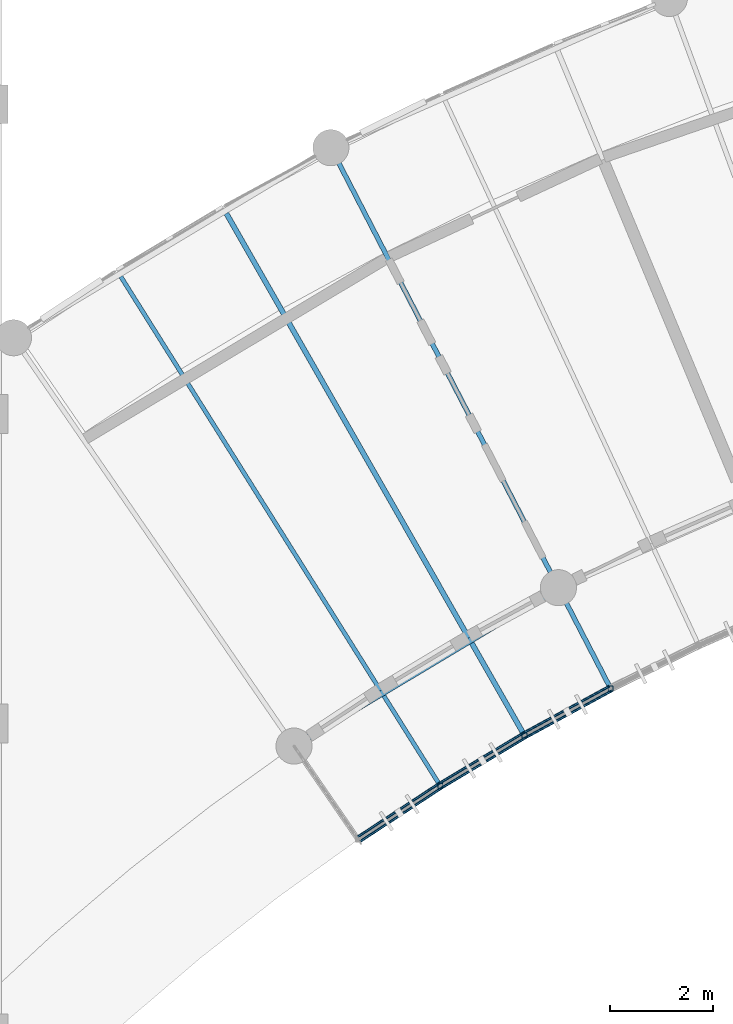
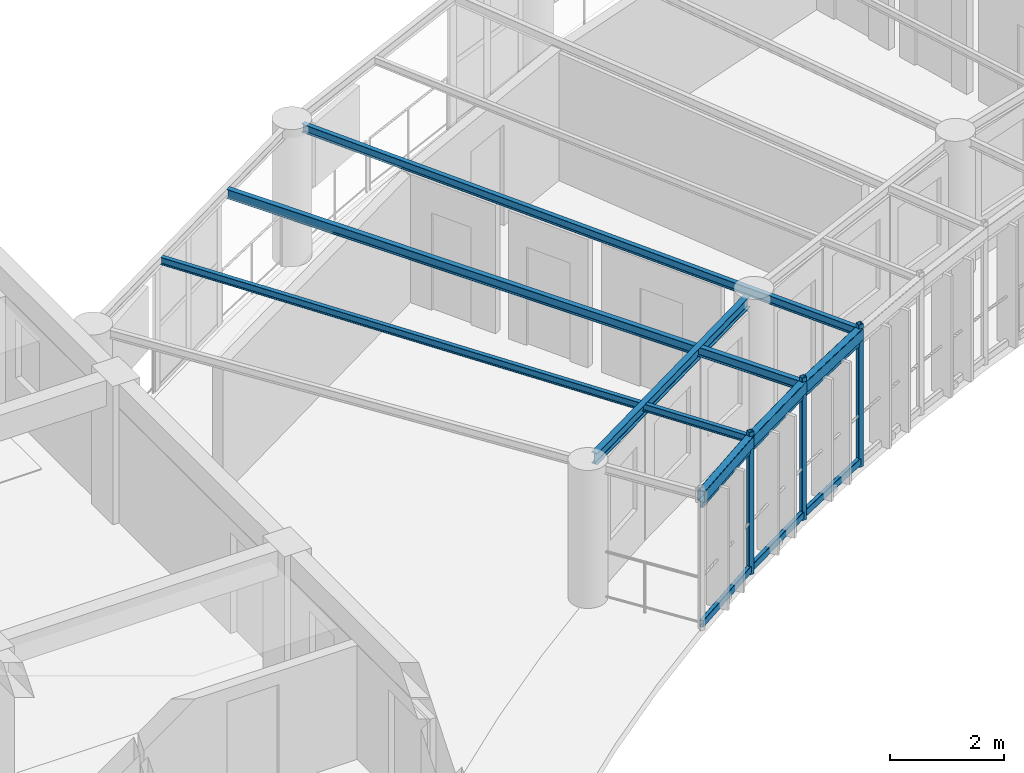
# One storey, part 42 of 123: 9 members, 7 beams.
"""IFC4 building model written with IfcOpenShell, lengths in metres."""

from ifc_helpers import new_model, si_unit, direction, frame, origin, origin_2d, place, context, subcontext, project, spatial, hollow_rectangle, i_section, extrude, material, material_profile, profile_set, type_object, element, save


model = new_model("IFC4")

# Units and contexts
model_context = context("Model", 3, precision=1e-05, world=origin(), true_north=direction((0.0, 1.0)))
body_context = subcontext(model_context, "Body", "Model", "MODEL_VIEW")
ifc_project = project(units=[si_unit("LENGTHUNIT", "METRE"), si_unit("AREAUNIT", "SQUARE_METRE"), si_unit("VOLUMEUNIT", "CUBIC_METRE"), si_unit("PLANEANGLEUNIT", "RADIAN"), si_unit("MASSUNIT", "GRAM", prefix="KILO"), si_unit("POWERUNIT", "WATT"), si_unit("THERMODYNAMICTEMPERATUREUNIT", "KELVIN")], contexts=[model_context])

# Site, building, storey
site_placement = place(None, origin())
site = spatial("IfcSite", under=ifc_project, at=site_placement, CompositionType="ELEMENT")
building_placement = place(site_placement, origin())
building = spatial("IfcBuilding", under=site, at=building_placement, Name="Ruvembo Vaulted Housing Court", CompositionType="ELEMENT")
storey_placement = place(building_placement, frame((0.0, 0.0, 7.699951171875)))
storey = spatial("IfcBuildingStorey", under=building, at=storey_placement, Name="L02", CompositionType="ELEMENT", Elevation=7.699951171875)

# Beams
ifc_material = material(Name="Steel S355J2", Category="steel")
ifc_material_profile_1 = material_profile(ifc_material, i_section(OverallWidth=0.08203125, OverallDepth=0.159912109375, WebThickness=0.0048828125, FlangeThickness=0.00732421875, FilletRadius=0.009033203125, at=origin_2d()), Name="IPE 160")
ifc_profile_set_1 = profile_set([ifc_material_profile_1], Name="Steel S355J2")
beam_type_1 = type_object("IfcBeamType", Name="BM-ST-IPE160", PredefinedType="JOIST", material=ifc_profile_set_1)
beam_1_placement = place(storey_placement, frame((86.4638671875, 98.66357421875, 2.860107421875), z_axis=(0.531511049351, -0.847051358784, 0.0), x_axis=(0.847051358784, 0.531511049351, 0.0)))
element("IfcBeam", 1, at=beam_1_placement, inside=storey, type_object=beam_type_1, Name="Scoop SC3 L02 Radial Steel Joist 1", PredefinedType="JOIST", context=body_context, shape_type="SweptSolid", body=[
    extrude(i_section(OverallWidth=0.08203125, OverallDepth=0.159912109375, WebThickness=0.0048828125, FlangeThickness=0.00732421875, FilletRadius=0.009033203125, at=origin_2d()), origin(), (0.0, 0.0, 1.0), 11.69091796875),
])
ifc_material_profile_2 = material_profile(ifc_material, i_section(OverallWidth=0.091064453125, OverallDepth=0.179931640625, WebThickness=0.00537109375, FlangeThickness=0.008056640625, FilletRadius=0.009033203125, at=origin_2d()), Name="IPE 180")
ifc_profile_set_2 = profile_set([ifc_material_profile_2], Name="Steel S355J2")
beam_type_2 = type_object("IfcBeamType", Name="BM-ST-IPE180", PredefinedType="JOIST", material=ifc_profile_set_2)
beam_2_placement = place(storey_placement, frame((90.6416015625, 100.956298828125, 2.85009765625), z_axis=(0.459452094215, -0.888202551855, 0.0), x_axis=(0.888202551855, 0.459452094215, 0.0)))
element("IfcBeam", 2, at=beam_2_placement, inside=storey, type_object=beam_type_2, Name="Scoop SC3 L02 Radial Steel Joist 3", PredefinedType="JOIST", context=body_context, shape_type="SweptSolid", body=[
    extrude(i_section(OverallWidth=0.091064453125, OverallDepth=0.179931640625, WebThickness=0.00537109375, FlangeThickness=0.008056640625, FilletRadius=0.009033203125, at=origin_2d()), origin(), (0.0, 0.0, 1.0), 11.60986328125),
])
ifc_material_profile_3 = material_profile(ifc_material, i_section(OverallWidth=0.10009765625, OverallDepth=0.199951171875, WebThickness=0.005615234375, FlangeThickness=0.008544921875, FilletRadius=0.011962890625, at=origin_2d()), Name="IPE 200")
ifc_profile_set_3 = profile_set([ifc_material_profile_3], Name="Steel S355J2")
beam_type_3 = type_object("IfcBeamType", Name="BM-ST-IPE200", PredefinedType="BEAM", material=ifc_profile_set_3)
beam_3_placement = place(storey_placement, frame((88.509521484375, 99.888916015625, 2.840087890625), z_axis=(0.495907280655, -0.868375476965, 0.0), x_axis=(0.868375476965, 0.495907280655, 0.0)))
element("IfcBeam", 3, at=beam_3_placement, inside=storey, type_object=beam_type_3, Name="Scoop SC3 L02 Radial Steel Joist 2", PredefinedType="BEAM", context=body_context, shape_type="SweptSolid", body=[
    extrude(i_section(OverallWidth=0.10009765625, OverallDepth=0.199951171875, WebThickness=0.005615234375, FlangeThickness=0.008544921875, FilletRadius=0.011962890625, at=origin_2d()), origin(), (0.0, 0.0, 1.0), 11.69091796875),
])
ifc_material_profile_4 = material_profile(ifc_material, i_section(OverallWidth=0.1201171875, OverallDepth=0.239990234375, WebThickness=0.006103515625, FlangeThickness=0.009765625, FilletRadius=0.014892578125, at=origin_2d()), Name="IPE 240")
ifc_profile_set_4 = profile_set([ifc_material_profile_4], Name="Steel S355J2")
beam_type_4 = type_object("IfcBeamType", Name="BM-ST-IPE240", PredefinedType="BEAM", material=ifc_profile_set_4)
beam_4_placement = place(storey_placement, frame((90.01904296875, 89.6826171875, 2.822021484375), z_axis=(0.857902883734, 0.513811874212, 0.0), x_axis=(-0.513811874212, 0.857902883734, 0.0)))
element("IfcBeam", 4, at=beam_4_placement, inside=storey, type_object=beam_type_4, Name="Scoop SC3 L02 Chord Girder F0", PredefinedType="BEAM", context=body_context, shape_type="SweptSolid", body=[
    extrude(i_section(OverallWidth=0.1201171875, OverallDepth=0.239990234375, WebThickness=0.006103515625, FlangeThickness=0.009765625, FilletRadius=0.014892578125, at=origin_2d()), origin(), (0.0, 0.0, 1.0), 5.513671875),
])
ifc_material_profile_5 = material_profile(ifc_material, hollow_rectangle(XDim=0.14990234375, YDim=0.25, WallThickness=0.010009765625, InnerFilletRadius=0.010009765625, OuterFilletRadius=0.02001953125, at=origin_2d()), Name="RHS 250x150x10")
ifc_profile_set_5 = profile_set([ifc_material_profile_5], Name="Steel S355J2")
beam_type_5 = type_object("IfcBeamType", Name="BM-ST-RHS250", PredefinedType="SPANDREL", material=ifc_profile_set_5)
for number, where, z_axis, x_axis, name in (
    (5, (91.0673828125, 87.751220703125, 2.81494140625), (0.835902452778, 0.548878027834, 0.0), (-0.548878027834, 0.835902452778, 0.0), "Scoop SC3 L02 Balcony Edge Spandrel 0"),
    (6, (92.656494140625, 88.794677734375, 2.81494140625), (0.857889282303, 0.513834583607, 0.0), (-0.513834583607, 0.857889282303, 0.0), "Scoop SC3 L02 Balcony Edge Spandrel 1"),
    (7, (94.287353515625, 89.771484375, 2.81494140625), (0.878513214386, 0.477718046706, 0.0), (-0.477718046706, 0.878513214386, 0.0), "Scoop SC3 L02 Balcony Edge Spandrel 2"),
):
    element("IfcBeam", number, at=place(storey_placement, frame(where, z_axis=z_axis, x_axis=x_axis)), inside=storey, type_object=beam_type_5, Name=name, PredefinedType="SPANDREL", context=body_context, shape_type="SweptSolid", body=[
        extrude(hollow_rectangle(XDim=0.14990234375, YDim=0.25, WallThickness=0.010009765625, InnerFilletRadius=0.010009765625, OuterFilletRadius=0.02001953125, at=origin_2d()), origin(), (0.0, 0.0, 1.0), 1.901123046875),
    ])

# Members
ifc_material_profile_6 = material_profile(ifc_material, hollow_rectangle(XDim=0.06005859375, YDim=0.1201171875, WallThickness=0.0048828125, InnerFilletRadius=0.0048828125, OuterFilletRadius=0.010009765625, at=origin_2d()), Name="RHS 120x60x5")
ifc_profile_set_6 = profile_set([ifc_material_profile_6], Name="Steel S355J2")
member_type_1 = type_object("IfcMemberType", Name="MEM-CAR-RHS120", PredefinedType="CHORD", material=ifc_profile_set_6)
for number, where, z_axis, x_axis, name in (
    (8, (91.0673828125, 87.751220703125, 2.633056640625), (0.835902452778, 0.548878027834, 0.0), (-0.548878027834, 0.835902452778, 0.0), "Scoop SC3 L02 Upper Louvre Carrier Rail 0"),
    (9, (92.656494140625, 88.794677734375, 2.633056640625), (0.857889282303, 0.513834583607, 0.0), (-0.513834583607, 0.857889282303, 0.0), "Scoop SC3 L02 Upper Louvre Carrier Rail 1"),
    (10, (94.287353515625, 89.771484375, 2.633056640625), (0.878513214386, 0.477718046706, 0.0), (-0.477718046706, 0.878513214386, 0.0), "Scoop SC3 L02 Upper Louvre Carrier Rail 2"),
):
    element("IfcMember", number, at=place(storey_placement, frame(where, z_axis=z_axis, x_axis=x_axis)), inside=storey, type_object=member_type_1, Name=name, PredefinedType="CHORD", context=body_context, shape_type="SweptSolid", body=[
        extrude(hollow_rectangle(XDim=0.06005859375, YDim=0.1201171875, WallThickness=0.0048828125, InnerFilletRadius=0.0048828125, OuterFilletRadius=0.010009765625, at=origin_2d()), origin(), (0.0, 0.0, 1.0), 1.901123046875),
    ])
ifc_material_profile_7 = material_profile(ifc_material, hollow_rectangle(XDim=0.080078125, YDim=0.14990234375, WallThickness=0.00634765625, InnerFilletRadius=0.00634765625, OuterFilletRadius=0.0126953125, at=origin_2d()), Name="RHS 150x80x6.3")
ifc_profile_set_7 = profile_set([ifc_material_profile_7], Name="Steel S355J2")
member_type_2 = type_object("IfcMemberType", Name="MEM-CAR-RHS150", PredefinedType="CHORD", material=ifc_profile_set_7)
for number, where, z_axis, x_axis, name in (
    (11, (91.0673828125, 87.751220703125, 0.094970703125), (0.835902452778, 0.548878027834, 0.0), (-0.548878027834, 0.835902452778, 0.0), "Scoop SC3 L02 Lower Louvre Carrier Rail 0"),
    (12, (92.656494140625, 88.794677734375, 0.094970703125), (0.857889282303, 0.513834583607, 0.0), (-0.513834583607, 0.857889282303, 0.0), "Scoop SC3 L02 Lower Louvre Carrier Rail 1"),
    (13, (94.287353515625, 89.771484375, 0.094970703125), (0.878513214386, 0.477718046706, 0.0), (-0.477718046706, 0.878513214386, 0.0), "Scoop SC3 L02 Lower Louvre Carrier Rail 2"),
):
    element("IfcMember", number, at=place(storey_placement, frame(where, z_axis=z_axis, x_axis=x_axis)), inside=storey, type_object=member_type_2, Name=name, PredefinedType="CHORD", context=body_context, shape_type="SweptSolid", body=[
        extrude(hollow_rectangle(XDim=0.080078125, YDim=0.14990234375, WallThickness=0.00634765625, InnerFilletRadius=0.00634765625, OuterFilletRadius=0.0126953125, at=origin_2d()), origin(), (0.0, 0.0, 1.0), 1.901123046875),
    ])
ifc_material_profile_8 = material_profile(ifc_material, hollow_rectangle(XDim=0.10009765625, YDim=0.10009765625, WallThickness=0.00634765625, InnerFilletRadius=0.00634765625, OuterFilletRadius=0.0126953125, at=origin_2d()), Name="SHS 100x100x6.3")
ifc_profile_set_8 = profile_set([ifc_material_profile_8], Name="Steel S355J2")
member_type_3 = type_object("IfcMemberType", Name="MEM-FRM-SHS100", PredefinedType="STRUT", material=ifc_profile_set_8)
for number, where, z_axis, x_axis, name in (
    (14, (92.656494140625, 88.794677734375, -0.014892578125), (0.0, 0.0, 1.0), (1.0, 0.0, 0.0), "Scoop SC3 L02 Louvre Frame Post 1"),
    (15, (94.287353515625, 89.771484375, -0.014892578125), (0.0, 0.0, 1.0), (1.0, 0.0, 0.0), "Scoop SC3 L02 Louvre Frame Post 2"),
    (16, (95.95751953125, 90.6796875, -0.014892578125), (0.0, 0.0, 1.0), (1.0, 0.0, 0.0), "Scoop SC3 L02 Louvre Frame Post 3"),
):
    element("IfcMember", number, at=place(storey_placement, frame(where, z_axis=z_axis, x_axis=x_axis)), inside=storey, type_object=member_type_3, Name=name, PredefinedType="STRUT", context=body_context, shape_type="SweptSolid", body=[
        extrude(hollow_rectangle(XDim=0.10009765625, YDim=0.10009765625, WallThickness=0.00634765625, InnerFilletRadius=0.00634765625, OuterFilletRadius=0.0126953125, at=origin_2d()), origin(), (0.0, 0.0, 1.0), 3.041015625),
    ])

save(model, "model.ifc")
